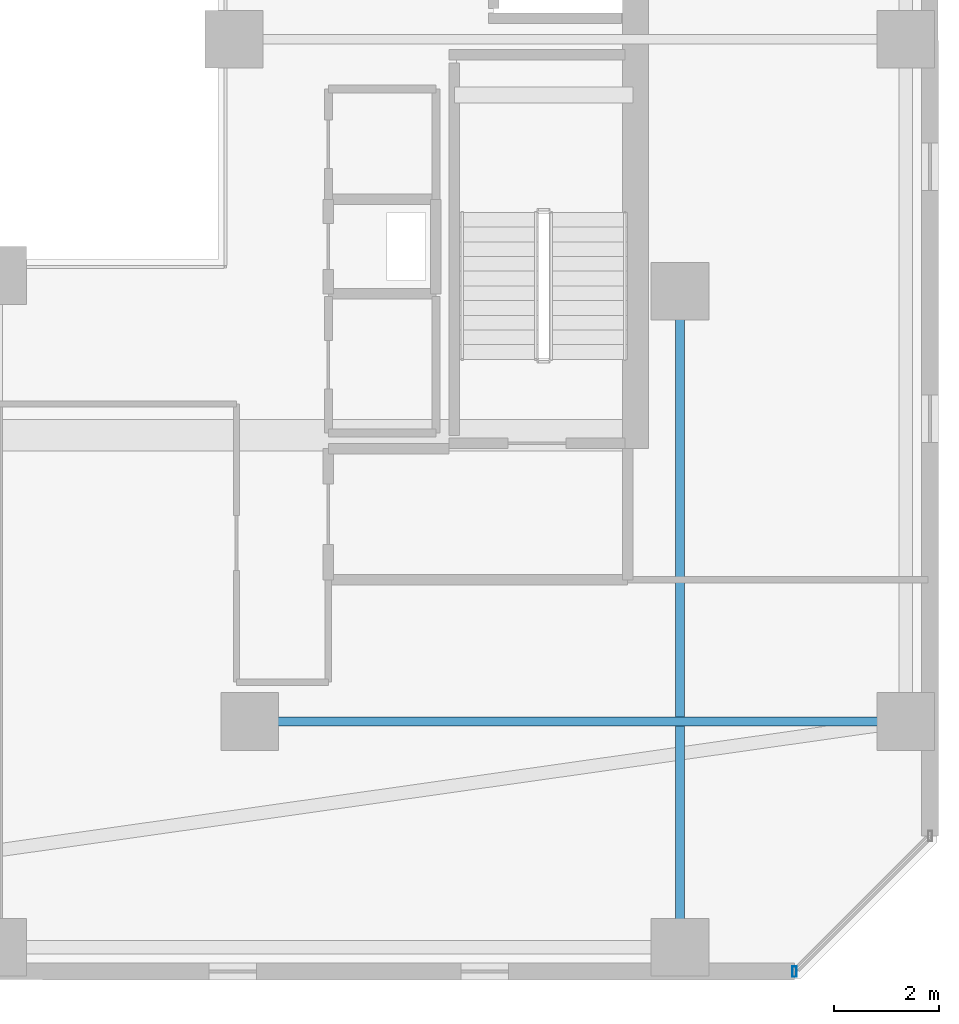
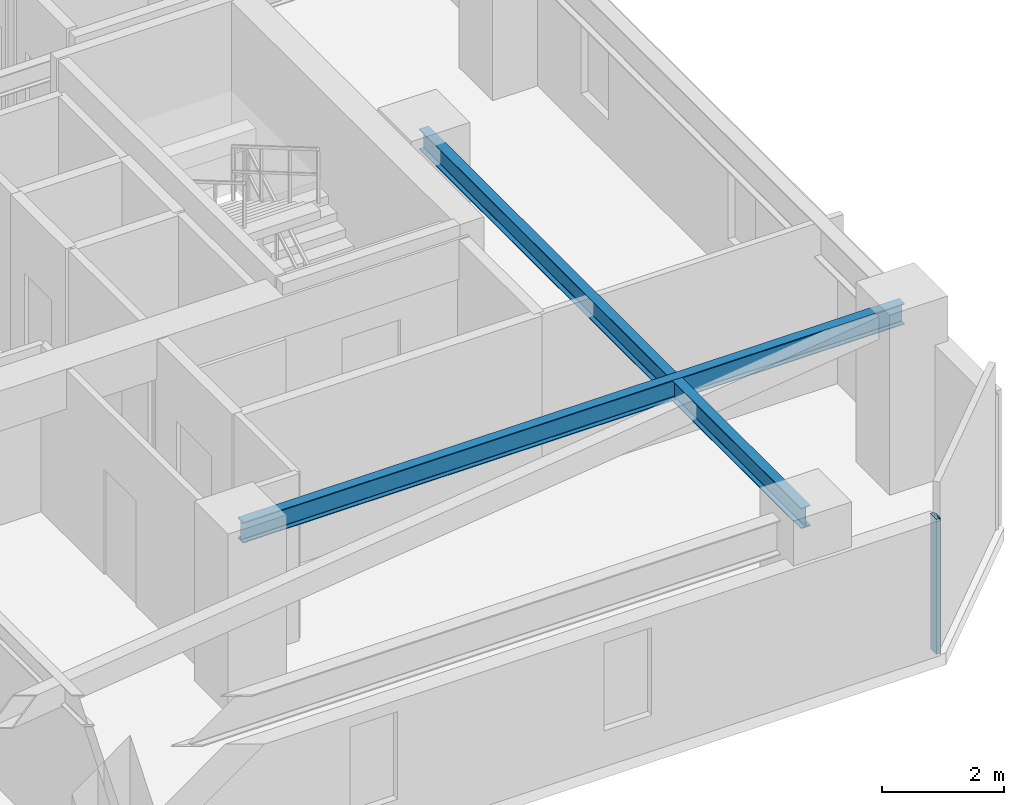
# One storey, part 13 of 32: 2 beams, 1 member, 1 element without a shape of its own.
"""IFC4 building model written with IfcOpenShell, lengths in metres."""

from ifc_helpers import new_model, si_unit, direction, frame, origin, origin_2d, place, context, subcontext, project, spatial, hollow_rectangle, i_section, extrude, material, material_profile, profile_set, type_object, element, aggregate, save


model = new_model("IFC4")

# Units and contexts
model_context = context("Model", 3, precision=1e-05, world=origin(), true_north=direction((0.0, 1.0)))
body_context = subcontext(model_context, "Body", "Model", "MODEL_VIEW")
ifc_project = project(units=[si_unit("LENGTHUNIT", "METRE"), si_unit("AREAUNIT", "SQUARE_METRE"), si_unit("VOLUMEUNIT", "CUBIC_METRE"), si_unit("PLANEANGLEUNIT", "RADIAN"), si_unit("MASSUNIT", "GRAM", prefix="KILO")], contexts=[model_context])

# Site, building, storey
site_placement = place(None, origin())
site = spatial("IfcSite", under=ifc_project, at=site_placement, CompositionType="ELEMENT")
building_placement = place(site_placement, origin())
building = spatial("IfcBuilding", under=site, at=building_placement, Name="Thornwick Lancets Civic Towers", CompositionType="ELEMENT")
storey_placement = place(building_placement, frame((0.0, 0.0, 178.5)))
storey = spatial("IfcBuildingStorey", under=building, at=storey_placement, Name="L47", CompositionType="ELEMENT", Elevation=178.5)

# Beams
ifc_material_1 = material(Name="Steel S355JR", Category="steel")
ifc_material_profile_1 = material_profile(ifc_material_1, i_section(OverallWidth=0.179443359375, OverallDepth=0.412841796875, WebThickness=0.009521484375, FlangeThickness=0.01611328125, FilletRadius=0.01025390625, at=origin_2d()), Name="UKB 406x178x74")
ifc_profile_set_1 = profile_set([ifc_material_profile_1], Name="Steel S355JR")
beam_type = type_object("IfcBeamType", Name="BM_JOIST_406_74", PredefinedType="JOIST", material=ifc_profile_set_1)
for number, where, z_axis, x_axis, name in (
    (1, (93.300048828125, 14.0, 3.153564453125), (1.0, 0.0, 0.0), (0.0, 1.0, 0.0), "BM-RADIN-L47-B01"),
    (2, (101.5, 22.199951171875, 3.153564453125), (0.0, -1.0, 0.0), (1.0, 0.0, 0.0), "BM-RADIN-L47-B10"),
):
    element("IfcBeam", number, at=place(storey_placement, frame(where, z_axis=z_axis, x_axis=x_axis)), inside=storey, type_object=beam_type, Name=name, PredefinedType="JOIST", context=body_context, shape_type="SweptSolid", body=[
        extrude(i_section(OverallWidth=0.179443359375, OverallDepth=0.412841796875, WebThickness=0.009521484375, FlangeThickness=0.01611328125, FilletRadius=0.01025390625, at=origin_2d()), origin(), (0.0, 0.0, 1.0), 12.5),
    ])

# Curtain wall, member
ifc_material_2 = material(Name="Mid-zone chamfered-corner unitised glass curtain wall", Category="glass")
curtain_wall_type = type_object("IfcCurtainWallType", Name="CW_SYS_04", PredefinedType="NOTDEFINED", material=ifc_material_2)
curtain_wall_placement = place(storey_placement, origin())
curtain_wall = element("IfcCurtainWall", 3, at=curtain_wall_placement, inside=storey, type_object=curtain_wall_type, Name="L47 Curtain Wall CW-L47-B-E1", PredefinedType="NOTDEFINED")
ifc_material_3 = material(Name="Thermally broken bronze aluminium S355", Category="steel")
ifc_material_profile_2 = material_profile(ifc_material_3, hollow_rectangle(XDim=0.080078125, YDim=0.199951171875, WallThickness=0.006103515625, at=origin_2d()), Name="RHS 200x80x6")
ifc_profile_set_2 = profile_set([ifc_material_profile_2], Name="Thermally broken bronze aluminium S355")
member_type = type_object("IfcMemberType", Name="CW_MUL_200", PredefinedType="MULLION", material=ifc_profile_set_2)
member_placement = place(storey_placement, frame((103.681396484375, 9.2353515625, 0.0), z_axis=(0.0, 0.0, 1.0), x_axis=(1.0, 0.0, 0.0)))
member = element("IfcMember", 4, at=member_placement, type_object=member_type, Name="CW-L47-B-E1 Mullion 0", PredefinedType="MULLION", context=body_context, shape_type="SweptSolid", body=[
    extrude(hollow_rectangle(XDim=0.080078125, YDim=0.199951171875, WallThickness=0.006103515625, at=origin_2d()), origin(), (0.0, 0.0, 1.0), 2.699951171875),
])
aggregate(curtain_wall, [member])

save(model, "model.ifc")
